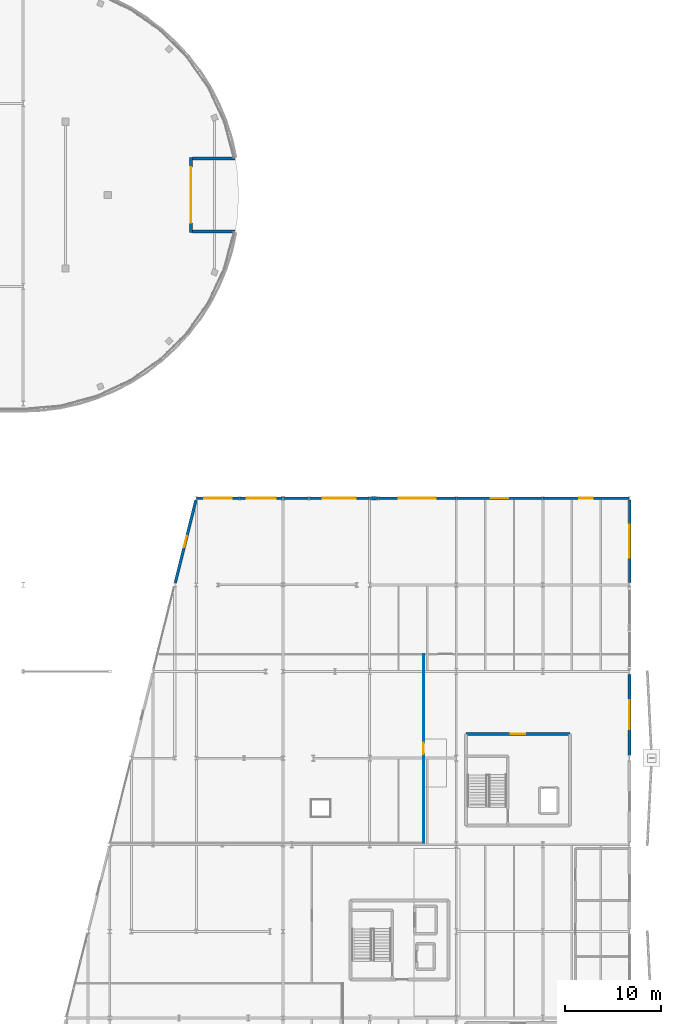
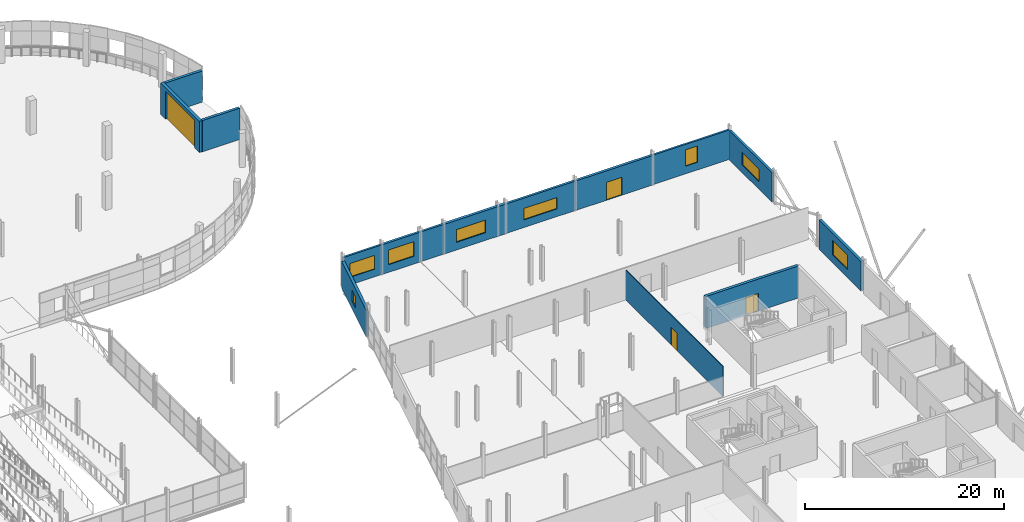
# One storey, part 125 of 140: 16 walls, 8 windows, 4 doors, 12 openings.
"""IFC4 building model written with IfcOpenShell, lengths in metres."""

from ifc_helpers import new_model, si_unit, direction, frame, frame_2d, origin, place, context, subcontext, project, spatial, rectangle, extrude, material, layer, layer_set, type_object, element, fill, save


model = new_model("IFC4")

# Units and contexts
model_context = context("Model", 3, precision=1e-05, world=origin(), true_north=direction((0.0, 1.0)))
body_context = subcontext(model_context, "Body", "Model", "MODEL_VIEW")
ifc_project = project(units=[si_unit("LENGTHUNIT", "METRE"), si_unit("AREAUNIT", "SQUARE_METRE"), si_unit("VOLUMEUNIT", "CUBIC_METRE"), si_unit("PLANEANGLEUNIT", "RADIAN"), si_unit("MASSUNIT", "GRAM", prefix="KILO")], contexts=[model_context])

# Site, building, storey
site_placement = place(None, origin())
site = spatial("IfcSite", under=ifc_project, at=site_placement, CompositionType="ELEMENT")
building_placement = place(site_placement, origin())
building = spatial("IfcBuilding", under=site, at=building_placement, Name="Deido Ridge Mobility Hub", CompositionType="ELEMENT")
storey_placement = place(building_placement, origin())
storey = spatial("IfcBuildingStorey", under=building, at=storey_placement, Name="L00", CompositionType="ELEMENT", Elevation=0.0)

# Wall, opening, window
ifc_material_1 = material(Name="Powder-coated aluminium cladding EN AW-3003", Category="aluminium")
ifc_layer_1 = layer(ifc_material_1, 0.22509765625, Name="Powder-coated aluminium cladding EN AW-3003")
ifc_layer_set_1 = layer_set([ifc_layer_1], Name="Powder-coated aluminium cladding EN AW-3003")
wall_type_1 = type_object("IfcWallType", Name="WL-EXT-ALU-225", PredefinedType="STANDARD", material=ifc_layer_set_1)
wall_1_placement = place(storey_placement, frame((135.006103515625, 72.0, 0.0), z_axis=(0.0, 0.0, 1.0), x_axis=(1.0, 0.0, 0.0)))
wall_1 = element("IfcWall", 1, at=wall_1_placement, inside=storey, type_object=wall_type_1, Name="Exterior wall EW6", PredefinedType="STANDARD", context=body_context, shape_type="SweptSolid", body=[
    extrude(rectangle(XDim=4.48779296875, YDim=0.22509765625, at=frame_2d((2.243896484375, 0.0))), origin(), (0.0, 0.0, 1.0), 3.655029296875),
])
opening_1_placement = place(wall_1_placement, frame((0.81884765625, 0.0, 0.949951171875)))
opening_1 = element("IfcOpeningElement", 2, at=opening_1_placement, cuts=wall_1, Name="Opening W14", PredefinedType="OPENING", context=body_context, shape_type="SweptSolid", body=[
    extrude(rectangle(XDim=2.85009765625, YDim=1.699951171875, at=frame_2d((1.425048828125, 0.85009765625))), frame((0.0, 0.12255859375, 0.0), z_axis=(0.0, -1.0, 0.0), x_axis=(1.0, 0.0, 0.0)), (0.0, 0.0, 1.0), 0.2451171875),
])
ifc_material_2 = material(Name="Laminated solar-control low-E glass", Category="glass")
window_type_1 = type_object("IfcWindowType", Name="WN-ALU-2850X1700", PartitioningType="DOUBLE_PANEL_VERTICAL", PredefinedType="WINDOW", material=ifc_material_2)
window_1_placement = place(opening_1_placement, origin())
window_1 = element("IfcWindow", 3, at=window_1_placement, inside=storey, type_object=window_type_1, Name="Exterior window W14", OverallHeight=1.699951171875, OverallWidth=2.85009765625, PartitioningType="SINGLE_PANEL", PredefinedType="WINDOW", context=body_context, shape_type="SweptSolid", body=[
    extrude(rectangle(XDim=2.85009765625, YDim=1.699951171875, at=frame_2d((1.425048828125, 0.85009765625))), frame((0.0, 0.030029296875, 0.0), z_axis=(0.0, -1.0, 0.0), x_axis=(1.0, 0.0, 0.0)), (0.0, 0.0, 1.0), 0.06005859375),
])
fill(opening_1, window_1)

wall_2_placement = place(storey_placement, frame((171.006103515625, 72.0, 0.0), z_axis=(0.0, 0.0, 1.0), x_axis=(1.0, 0.0, 0.0)))
wall_2 = element("IfcWall", 4, at=wall_2_placement, inside=storey, type_object=wall_type_1, Name="Exterior wall EW6", PredefinedType="STANDARD", context=body_context, shape_type="SweptSolid", body=[
    extrude(rectangle(XDim=8.98779296875, YDim=0.22509765625, at=frame_2d((4.493896484375, 0.0))), origin(), (0.0, 0.0, 1.0), 3.625),
])
opening_2_placement = place(wall_2_placement, frame((3.793701171875, 0.0, 0.949951171875)))
opening_2 = element("IfcOpeningElement", 5, at=opening_2_placement, cuts=wall_2, Name="Opening W21", PredefinedType="OPENING", context=body_context, shape_type="SweptSolid", body=[
    extrude(rectangle(XDim=1.39990234375, YDim=2.0, at=frame_2d((0.699951171875, 1.0))), frame((0.0, 0.12255859375, 0.0), z_axis=(0.0, -1.0, 0.0), x_axis=(1.0, 0.0, 0.0)), (0.0, 0.0, 1.0), 0.2451171875),
])
window_type_2 = type_object("IfcWindowType", Name="WN-ALU-1400X2000", PartitioningType="SINGLE_PANEL", PredefinedType="WINDOW", material=ifc_material_2)
window_2_placement = place(opening_2_placement, origin())
window_2 = element("IfcWindow", 6, at=window_2_placement, inside=storey, type_object=window_type_2, Name="Exterior window W21", OverallHeight=2.0, OverallWidth=1.39990234375, PartitioningType="SINGLE_PANEL", PredefinedType="WINDOW", context=body_context, shape_type="SweptSolid", body=[
    extrude(rectangle(XDim=1.39990234375, YDim=2.0, at=frame_2d((0.699951171875, 1.0))), frame((0.0, 0.030029296875, 0.0), z_axis=(0.0, -1.0, 0.0), x_axis=(1.0, 0.0, 0.0)), (0.0, 0.0, 1.0), 0.06005859375),
])
fill(opening_2, window_2)

ifc_material_3 = material(Name="Concrete blockwork masonry", Category="masonry")
ifc_layer_2 = layer(ifc_material_3, 0.264892578125, Name="Concrete blockwork masonry")
ifc_layer_set_2 = layer_set([ifc_layer_2], Name="Concrete blockwork masonry")
wall_type_2 = type_object("IfcWallType", Name="WL-EXT-BLK-265", PredefinedType="STANDARD", material=ifc_layer_set_2)
wall_3_placement = place(storey_placement, frame((180.0, 63.22509765625, 0.0), z_axis=(0.0, 0.0, 1.0), x_axis=(0.0, 1.0, 0.0)))
wall_3 = element("IfcWall", 7, at=wall_3_placement, inside=storey, type_object=wall_type_2, Name="Exterior wall EW3", PredefinedType="STANDARD", context=body_context, shape_type="SweptSolid", body=[
    extrude(rectangle(XDim=8.594970703125, YDim=0.264892578125, at=frame_2d((4.29736328125, 0.0))), origin(), (0.0, 0.0, 1.0), 3.625),
])
opening_3_placement = place(wall_3_placement, frame((2.597412109375, 0.0, 0.949951171875)))
opening_3 = element("IfcOpeningElement", 8, at=opening_3_placement, cuts=wall_3, Name="Opening W17", PredefinedType="OPENING", context=body_context, shape_type="SweptSolid", body=[
    extrude(rectangle(XDim=3.39990234375, YDim=1.550048828125, at=frame_2d((1.699951171875, 0.77490234375))), frame((0.0, 0.142578125, 0.0), z_axis=(0.0, -1.0, 0.0), x_axis=(1.0, 0.0, 0.0)), (0.0, 0.0, 1.0), 0.284912109375),
])
window_type_3 = type_object("IfcWindowType", Name="WN-ALU-3400X1550", PartitioningType="DOUBLE_PANEL_VERTICAL", PredefinedType="WINDOW", material=ifc_material_2)
window_3_placement = place(opening_3_placement, origin())
window_3 = element("IfcWindow", 9, at=window_3_placement, inside=storey, type_object=window_type_3, Name="Exterior window W17", OverallHeight=1.550048828125, OverallWidth=3.39990234375, PartitioningType="SINGLE_PANEL", PredefinedType="WINDOW", context=body_context, shape_type="SweptSolid", body=[
    extrude(rectangle(XDim=3.39990234375, YDim=1.550048828125, at=frame_2d((1.699951171875, 0.77490234375))), frame((0.0, 0.030029296875, 0.0), z_axis=(0.0, -1.0, 0.0), x_axis=(1.0, 0.0, 0.0)), (0.0, 0.0, 1.0), 0.06005859375),
])
fill(opening_3, window_3)

wall_4_placement = place(storey_placement, frame((153.90625, 72.0, 0.0), z_axis=(0.0, 0.0, 1.0), x_axis=(1.0, 0.0, 0.0)))
wall_4 = element("IfcWall", 10, at=wall_4_placement, inside=storey, type_object=wall_type_2, Name="Exterior wall EW3", PredefinedType="STANDARD", context=body_context, shape_type="SweptSolid", body=[
    extrude(rectangle(XDim=8.087646484375, YDim=0.264892578125, at=frame_2d((4.0439453125, 0.0))), origin(), (0.0, 0.0, 1.0), 3.625),
])
opening_4_placement = place(wall_4_placement, frame((2.143798828125, 0.0, 0.949951171875)))
opening_4 = element("IfcOpeningElement", 11, at=opening_4_placement, cuts=wall_4, Name="Opening W19", PredefinedType="OPENING", context=body_context, shape_type="SweptSolid", body=[
    extrude(rectangle(XDim=3.800048828125, YDim=1.39990234375, at=frame_2d((1.89990234375, 0.699951171875))), frame((0.0, 0.142578125, 0.0), z_axis=(0.0, -1.0, 0.0), x_axis=(1.0, 0.0, 0.0)), (0.0, 0.0, 1.0), 0.284912109375),
])
window_type_4 = type_object("IfcWindowType", Name="WN-ALU-3800X1400", PartitioningType="DOUBLE_PANEL_VERTICAL", PredefinedType="WINDOW", material=ifc_material_2)
window_4_placement = place(opening_4_placement, origin())
window_4 = element("IfcWindow", 12, at=window_4_placement, inside=storey, type_object=window_type_4, Name="Exterior window W19", OverallHeight=1.39990234375, OverallWidth=3.800048828125, PartitioningType="SINGLE_PANEL", PredefinedType="WINDOW", context=body_context, shape_type="SweptSolid", body=[
    extrude(rectangle(XDim=3.800048828125, YDim=1.39990234375, at=frame_2d((1.89990234375, 0.699951171875))), frame((0.0, 0.030029296875, 0.0), z_axis=(0.0, -1.0, 0.0), x_axis=(1.0, 0.0, 0.0)), (0.0, 0.0, 1.0), 0.06005859375),
])
fill(opening_4, window_4)

# Wall, opening, door
ifc_material_4 = material(Name="Fired clay brick masonry", Category="masonry")
ifc_layer_3 = layer(ifc_material_4, 0.294921875, Name="Fired clay brick masonry")
ifc_layer_set_3 = layer_set([ifc_layer_3], Name="Fired clay brick masonry")
wall_type_3 = type_object("IfcWallType", Name="WL-EXT-BRK-295", PredefinedType="STANDARD", material=ifc_layer_set_3)
wall_5_placement = place(storey_placement, frame((162.006103515625, 72.0, 0.0), z_axis=(0.0, 0.0, 1.0), x_axis=(1.0, 0.0, 0.0)))
wall_5 = element("IfcWall", 13, at=wall_5_placement, inside=storey, type_object=wall_type_3, Name="Exterior wall EW2", PredefinedType="STANDARD", context=body_context, shape_type="SweptSolid", body=[
    extrude(rectangle(XDim=8.98779296875, YDim=0.294921875, at=frame_2d((4.493896484375, 0.0))), origin(), (0.0, 0.0, 1.0), 3.625),
])
opening_5_placement = place(wall_5_placement, frame((3.59375, 0.0, 0.0)))
opening_5 = element("IfcOpeningElement", 14, at=opening_5_placement, cuts=wall_5, Name="Opening E10", PredefinedType="OPENING", context=body_context, shape_type="SweptSolid", body=[
    extrude(rectangle(XDim=1.800048828125, YDim=2.199951171875, at=frame_2d((0.89990234375, 1.10009765625))), frame((0.0, 0.157470703125, 0.0), z_axis=(0.0, -1.0, 0.0), x_axis=(1.0, 0.0, 0.0)), (0.0, 0.0, 1.0), 0.31494140625),
])
ifc_material_5 = material(Name="Anodised aluminium EN AW-6063 T6", Category="aluminium")
door_type_1 = type_object("IfcDoorType", Name="DR-EXT-1800X2200", OperationType="DOUBLE_DOOR_SINGLE_SWING", PredefinedType="DOOR", material=ifc_material_5)
door_1_placement = place(opening_5_placement, origin())
door_1 = element("IfcDoor", 15, at=door_1_placement, inside=storey, type_object=door_type_1, Name="DR-E0019 Final exit door E10", OperationType="DOUBLE_DOOR_SINGLE_SWING", OverallHeight=2.199951171875, OverallWidth=1.800048828125, PredefinedType="DOOR", context=body_context, shape_type="SweptSolid", body=[
    extrude(rectangle(XDim=1.800048828125, YDim=2.199951171875, at=frame_2d((0.89990234375, 1.10009765625))), frame((0.0, 0.02490234375, 0.0), z_axis=(0.0, -1.0, 0.0), x_axis=(1.0, 0.0, 0.0)), (0.0, 0.0, 1.0), 0.050048828125),
])
fill(opening_5, door_1)

# Wall, opening, window
wall_6_placement = place(storey_placement, frame((132.80126953125, 63.20458984375, 0.0), z_axis=(0.0, 0.0, 1.0), x_axis=(0.242509676291, 0.970148986963, 0.0)))
wall_6 = element("IfcWall", 16, at=wall_6_placement, inside=storey, type_object=wall_type_3, Name="Exterior wall EW2", PredefinedType="STANDARD", context=body_context, shape_type="SweptSolid", body=[
    extrude(rectangle(XDim=8.855224609375, YDim=0.294921875, at=frame_2d((4.427734375, 0.0))), origin(), (0.0, 0.0, 1.0), 3.324951171875),
])
opening_6_placement = place(wall_6_placement, frame((3.827392578125, 0.0, 0.949951171875)))
opening_6 = element("IfcOpeningElement", 17, at=opening_6_placement, cuts=wall_6, Name="Opening W3", PredefinedType="OPENING", context=body_context, shape_type="SweptSolid", body=[
    extrude(rectangle(XDim=1.199951171875, YDim=1.35009765625, at=frame_2d((0.60009765625, 0.675048828125))), frame((0.0, 0.157470703125, 0.0), z_axis=(0.0, -1.0, 0.0), x_axis=(1.0, 0.0, 0.0)), (0.0, 0.0, 1.0), 0.31494140625),
])
window_type_5 = type_object("IfcWindowType", Name="WN-ALU-1200X1350", PartitioningType="SINGLE_PANEL", PredefinedType="WINDOW", material=ifc_material_2)
window_5_placement = place(opening_6_placement, origin())
window_5 = element("IfcWindow", 18, at=window_5_placement, inside=storey, type_object=window_type_5, Name="Exterior window W3", OverallHeight=1.35009765625, OverallWidth=1.199951171875, PartitioningType="SINGLE_PANEL", PredefinedType="WINDOW", context=body_context, shape_type="SweptSolid", body=[
    extrude(rectangle(XDim=1.199951171875, YDim=1.35009765625, at=frame_2d((0.60009765625, 0.675048828125))), frame((0.0, 0.030029296875, 0.0), z_axis=(0.0, -1.0, 0.0), x_axis=(1.0, 0.0, 0.0)), (0.0, 0.0, 1.0), 0.06005859375),
])
fill(opening_6, window_5)

# Walls
ifc_layer_4 = layer(ifc_material_4, 0.31005859375, Name="Fired clay brick masonry")
ifc_layer_set_4 = layer_set([ifc_layer_4], Name="Fired clay brick masonry")
wall_type_4 = type_object("IfcWallType", Name="WL-EXT-BRK-310", PredefinedType="STANDARD", material=ifc_layer_set_4)
for number, where, z_axis, x_axis, name in (
    (19, (134.6201171875, 99.719970703125, 0.0), (0.0, 0.0, 1.0), (1.0, 0.0, 0.0), "East portal vestibule cheek wall"),
    (20, (134.6201171875, 107.280029296875, 0.0), (0.0, 0.0, 1.0), (1.0, 0.0, 0.0), "East portal vestibule cheek wall"),
):
    element("IfcWall", number, at=place(storey_placement, frame(where, z_axis=z_axis, x_axis=x_axis)), inside=storey, type_object=wall_type_4, Name=name, PredefinedType="STANDARD", context=body_context, shape_type="SweptSolid", body=[
        extrude(rectangle(XDim=4.3798828125, YDim=0.31005859375, at=frame_2d((2.18994140625, 0.0))), origin(), (0.0, 0.0, 1.0), 3.85009765625),
    ])

# Wall, opening, window
wall_7_placement = place(storey_placement, frame((180.0, 45.300048828125, 0.0), z_axis=(0.0, 0.0, 1.0), x_axis=(0.0, 1.0, 0.0)))
wall_7 = element("IfcWall", 21, at=wall_7_placement, inside=storey, type_object=wall_type_4, Name="Exterior wall EW1", PredefinedType="STANDARD", context=body_context, shape_type="SweptSolid", body=[
    extrude(rectangle(XDim=8.39990234375, YDim=0.31005859375, at=frame_2d((4.199951171875, 0.0))), origin(), (0.0, 0.0, 1.0), 3.625),
])
opening_7_placement = place(wall_7_placement, frame((2.699951171875, 0.0, 0.949951171875)))
opening_7 = element("IfcOpeningElement", 22, at=opening_7_placement, cuts=wall_7, Name="Opening W15", PredefinedType="OPENING", context=body_context, shape_type="SweptSolid", body=[
    extrude(rectangle(XDim=3.0, YDim=1.800048828125, at=frame_2d((1.5, 0.89990234375))), frame((0.0, 0.1650390625, 0.0), z_axis=(0.0, -1.0, 0.0), x_axis=(1.0, 0.0, 0.0)), (0.0, 0.0, 1.0), 0.330078125),
])
window_type_6 = type_object("IfcWindowType", Name="WN-ALU-3000X1800", PartitioningType="DOUBLE_PANEL_VERTICAL", PredefinedType="WINDOW", material=ifc_material_2)
window_6_placement = place(opening_7_placement, origin())
window_6 = element("IfcWindow", 23, at=window_6_placement, inside=storey, type_object=window_type_6, Name="Exterior window W15", OverallHeight=1.800048828125, OverallWidth=3.0, PartitioningType="SINGLE_PANEL", PredefinedType="WINDOW", context=body_context, shape_type="SweptSolid", body=[
    extrude(rectangle(XDim=3.0, YDim=1.800048828125, at=frame_2d((1.5, 0.89990234375))), frame((0.0, 0.030029296875, 0.0), z_axis=(0.0, -1.0, 0.0), x_axis=(1.0, 0.0, 0.0)), (0.0, 0.0, 1.0), 0.06005859375),
])
fill(opening_7, window_6)

wall_8_placement = place(storey_placement, frame((146.706298828125, 72.0, 0.0), z_axis=(0.0, 0.0, 1.0), x_axis=(1.0, 0.0, 0.0)))
wall_8 = element("IfcWall", 24, at=wall_8_placement, inside=storey, type_object=wall_type_4, Name="Exterior wall EW1", PredefinedType="STANDARD", context=body_context, shape_type="SweptSolid", body=[
    extrude(rectangle(XDim=6.28759765625, YDim=0.31005859375, at=frame_2d((3.143798828125, 0.0))), origin(), (0.0, 0.0, 1.0), 3.655029296875),
])
opening_8_placement = place(wall_8_placement, frame((1.44384765625, 0.0, 0.949951171875)))
opening_8 = element("IfcOpeningElement", 25, at=opening_8_placement, cuts=wall_8, Name="Opening W17", PredefinedType="OPENING", context=body_context, shape_type="SweptSolid", body=[
    extrude(rectangle(XDim=3.39990234375, YDim=1.550048828125, at=frame_2d((1.699951171875, 0.77490234375))), frame((0.0, 0.1650390625, 0.0), z_axis=(0.0, -1.0, 0.0), x_axis=(1.0, 0.0, 0.0)), (0.0, 0.0, 1.0), 0.330078125),
])
window_7_placement = place(opening_8_placement, origin())
window_7 = element("IfcWindow", 26, at=window_7_placement, inside=storey, type_object=window_type_3, Name="Exterior window W17", OverallHeight=1.550048828125, OverallWidth=3.39990234375, PartitioningType="SINGLE_PANEL", PredefinedType="WINDOW", context=body_context, shape_type="SweptSolid", body=[
    extrude(rectangle(XDim=3.39990234375, YDim=1.550048828125, at=frame_2d((1.699951171875, 0.77490234375))), frame((0.0, 0.030029296875, 0.0), z_axis=(0.0, -1.0, 0.0), x_axis=(1.0, 0.0, 0.0)), (0.0, 0.0, 1.0), 0.06005859375),
])
fill(opening_8, window_7)

# Wall, opening, door
ifc_material_6 = material(Name="Concrete C35/45", Category="concrete")
ifc_layer_5 = layer(ifc_material_6, 0.340087890625, Name="Concrete C35/45")
ifc_layer_set_5 = layer_set([ifc_layer_5], Name="Concrete C35/45")
wall_type_5 = type_object("IfcWallType", Name="WL-EXT-RC-340", PredefinedType="STANDARD", material=ifc_layer_set_5)
wall_9_placement = place(storey_placement, frame((134.449951171875, 99.60009765625, 0.0), z_axis=(0.0, 0.0, 1.0), x_axis=(0.0, 1.0, 0.0)))
wall_9 = element("IfcWall", 27, at=wall_9_placement, inside=storey, type_object=wall_type_5, Name="East arched portal throat wall", PredefinedType="STANDARD", context=body_context, shape_type="SweptSolid", body=[
    extrude(rectangle(XDim=7.7998046875, YDim=0.340087890625, at=frame_2d((3.89990234375, 0.0))), origin(), (0.0, 0.0, 1.0), 3.85009765625),
])
opening_9_placement = place(wall_9_placement, frame((1.0, 0.0, 0.0)))
opening_9 = element("IfcOpeningElement", 28, at=opening_9_placement, cuts=wall_9, Name="Opening VG2", PredefinedType="OPENING", context=body_context, shape_type="SweptSolid", body=[
    extrude(rectangle(XDim=5.800048828125, YDim=3.39990234375, at=frame_2d((2.89990234375, 1.699951171875))), frame((0.0, 0.18017578125, 0.0), z_axis=(0.0, -1.0, 0.0), x_axis=(1.0, 0.0, 0.0)), (0.0, 0.0, 1.0), 0.360107421875),
])
ifc_material_7 = material(Name="Galvanised steel work", Category="steel")
door_type_2 = type_object("IfcDoorType", Name="DR-VEH-5800X3400", OperationType="ROLLINGUP", PredefinedType="USERDEFINED", material=ifc_material_7)
door_2_placement = place(opening_9_placement, frame((5.800048828125, 0.0, 0.0), z_axis=(0.0, 0.0, 1.0), x_axis=(-1.0, 0.0, 0.0)))
door_2 = element("IfcDoor", 29, at=door_2_placement, inside=storey, type_object=door_type_2, Name="DR-E0012 East vehicle entrance roller shutter VG2", ObjectType="VEHICLE SHUTTER", OperationType="ROLLINGUP", OverallHeight=3.39990234375, OverallWidth=5.800048828125, PredefinedType="USERDEFINED", context=body_context, shape_type="SweptSolid", body=[
    extrude(rectangle(XDim=5.800048828125, YDim=3.39990234375, at=frame_2d((2.89990234375, 1.699951171875))), frame((0.0, 0.02490234375, 0.0), z_axis=(0.0, -1.0, 0.0), x_axis=(1.0, 0.0, 0.0)), (0.0, 0.0, 1.0), 0.050048828125),
])
fill(opening_9, door_2)

# Walls
wall_10_placement = place(storey_placement, frame((153.006103515625, 72.0, 0.0), z_axis=(0.0, 0.0, 1.0), x_axis=(1.0, 0.0, 0.0)))
element("IfcWall", 30, at=wall_10_placement, inside=storey, type_object=wall_type_5, Name="Exterior wall EW5", PredefinedType="STANDARD", context=body_context, shape_type="SweptSolid", body=[
    extrude(rectangle(XDim=0.8876953125, YDim=0.340087890625, at=frame_2d((0.44384765625, 0.0))), origin(), (0.0, 0.0, 1.0), 3.655029296875),
])
ifc_layer_6 = layer(ifc_material_3, 0.2548828125, Name="Concrete blockwork masonry")
ifc_layer_set_6 = layer_set([ifc_layer_6], Name="Concrete blockwork masonry")
wall_type_6 = type_object("IfcWallType", Name="WL-PLG-BLK-255", PredefinedType="POLYGONAL", material=ifc_layer_set_6)
wall_11_placement = place(storey_placement, frame((144.0087890625, 72.0, 0.0), z_axis=(0.0, 0.0, 1.0), x_axis=(1.0, 0.0, 0.0)))
element("IfcWall", 31, at=wall_11_placement, inside=storey, type_object=wall_type_6, Name="Exterior wall PGW2", PredefinedType="POLYGONAL", context=body_context, shape_type="SweptSolid", body=[
    extrude(rectangle(XDim=2.684814453125, YDim=0.2548828125, at=frame_2d((1.34228515625, 0.0))), origin(), (0.0, 0.0, 1.0), 3.655029296875),
])

# Wall, opening, window
ifc_layer_7 = layer(ifc_material_4, 0.27490234375, Name="Fired clay brick masonry")
ifc_layer_set_7 = layer_set([ifc_layer_7], Name="Fired clay brick masonry")
wall_type_7 = type_object("IfcWallType", Name="WL-PLG-BRK-275", PredefinedType="POLYGONAL", material=ifc_layer_set_7)
wall_12_placement = place(storey_placement, frame((139.506103515625, 72.0, 0.0), z_axis=(0.0, 0.0, 1.0), x_axis=(1.0, 0.0, 0.0)))
wall_12 = element("IfcWall", 32, at=wall_12_placement, inside=storey, type_object=wall_type_7, Name="Exterior wall PGW1", PredefinedType="POLYGONAL", context=body_context, shape_type="SweptSolid", body=[
    extrude(rectangle(XDim=4.485107421875, YDim=0.27490234375, at=frame_2d((2.24267578125, 0.0))), origin(), (0.0, 0.0, 1.0), 3.655029296875),
])
opening_10_placement = place(wall_12_placement, frame((0.742431640625, 0.0, 0.949951171875)))
opening_10 = element("IfcOpeningElement", 33, at=opening_10_placement, cuts=wall_12, Name="Opening W15", PredefinedType="OPENING", context=body_context, shape_type="SweptSolid", body=[
    extrude(rectangle(XDim=3.0, YDim=1.800048828125, at=frame_2d((1.5, 0.89990234375))), frame((0.0, 0.1474609375, 0.0), z_axis=(0.0, -1.0, 0.0), x_axis=(1.0, 0.0, 0.0)), (0.0, 0.0, 1.0), 0.294921875),
])
window_8_placement = place(opening_10_placement, origin())
window_8 = element("IfcWindow", 34, at=window_8_placement, inside=storey, type_object=window_type_6, Name="Exterior window W15", OverallHeight=1.800048828125, OverallWidth=3.0, PartitioningType="SINGLE_PANEL", PredefinedType="WINDOW", context=body_context, shape_type="SweptSolid", body=[
    extrude(rectangle(XDim=3.0, YDim=1.800048828125, at=frame_2d((1.5, 0.89990234375))), frame((0.0, 0.030029296875, 0.0), z_axis=(0.0, -1.0, 0.0), x_axis=(1.0, 0.0, 0.0)), (0.0, 0.0, 1.0), 0.06005859375),
])
fill(opening_10, window_8)

# Wall, opening, door
ifc_layer_8 = layer(ifc_material_3, 0.10009765625, Name="Concrete blockwork masonry")
ifc_layer_set_8 = layer_set([ifc_layer_8], Name="Concrete blockwork masonry")
wall_type_8 = type_object("IfcWallType", Name="WL-PRT-BLK-100", PredefinedType="PARTITIONING", material=ifc_layer_set_8)
wall_13_placement = place(storey_placement, frame((158.60009765625, 36.199951171875, 0.0), z_axis=(0.0, 0.0, 1.0), x_axis=(0.0, 1.0, 0.0)))
wall_13 = element("IfcWall", 35, at=wall_13_placement, inside=storey, type_object=wall_type_8, Name="V6 north-west room wall (L00)", PredefinedType="PARTITIONING", context=body_context, shape_type="SweptSolid", body=[
    extrude(rectangle(XDim=19.60009765625, YDim=0.10009765625, at=frame_2d((9.800048828125, 0.0))), origin(), (0.0, 0.0, 1.0), 3.655029296875),
])
opening_11_placement = place(wall_13_placement, frame((9.199951171875, 0.0, 0.0)))
opening_11 = element("IfcOpeningElement", 36, at=opening_11_placement, cuts=wall_13, Name="Opening DR-L00-147", PredefinedType="OPENING", context=body_context, shape_type="SweptSolid", body=[
    extrude(rectangle(XDim=1.219970703125, YDim=2.179931640625, at=frame_2d((0.60986328125, 1.08984375))), frame((0.0, 0.06005859375, 0.0), z_axis=(0.0, -1.0, 0.0), x_axis=(1.0, 0.0, 0.0)), (0.0, 0.0, 1.0), 0.1201171875),
])
ifc_material_8 = material(Name="Treated tropical hardwood timber D40", Category="wood")
door_type_3 = type_object("IfcDoorType", Name="DR-INT-1220X2180", OperationType="NOTDEFINED", PredefinedType="DOOR", material=ifc_material_8)
door_3_placement = place(opening_11_placement, origin())
door_3 = element("IfcDoor", 37, at=door_3_placement, inside=storey, type_object=door_type_3, Name="DR-I0147 V6 north-west room door (L00)", OperationType="SINGLE_SWING_RIGHT", OverallHeight=2.179931640625, OverallWidth=1.219970703125, PredefinedType="DOOR", context=body_context, shape_type="SweptSolid", body=[
    extrude(rectangle(XDim=1.219970703125, YDim=2.179931640625, at=frame_2d((0.60986328125, 1.08984375))), frame((0.0, 0.02490234375, 0.0), z_axis=(0.0, -1.0, 0.0), x_axis=(1.0, 0.0, 0.0)), (0.0, 0.0, 1.0), 0.050048828125),
])
fill(opening_11, door_3)

ifc_material_9 = material(Name="Concrete C40/50", Category="concrete")
ifc_layer_9 = layer(ifc_material_9, 0.324951171875, Name="Concrete C40/50")
ifc_layer_set_9 = layer_set([ifc_layer_9], Name="Concrete C40/50")
wall_type_9 = type_object("IfcWallType", Name="WL-SHR-RC-325", PredefinedType="SHEAR", material=ifc_layer_set_9)
wall_14_placement = place(storey_placement, frame((173.800048828125, 47.5, 0.0), z_axis=(0.0, 0.0, 1.0), x_axis=(-1.0, 0.0, 0.0)))
wall_14 = element("IfcWall", 38, at=wall_14_placement, inside=storey, type_object=wall_type_9, Name="C2 north shear wall", PredefinedType="SHEAR", context=body_context, shape_type="SweptSolid", body=[
    extrude(rectangle(XDim=10.800048828125, YDim=0.324951171875, at=frame_2d((5.39990234375, 0.0))), origin(), (0.0, 0.0, 1.0), 3.949951171875),
])
opening_12_placement = place(wall_14_placement, frame((4.64990234375, 0.0, 0.0)))
opening_12 = element("IfcOpeningElement", 39, at=opening_12_placement, cuts=wall_14, Name="Opening LD-C2-029", PredefinedType="OPENING", context=body_context, shape_type="SweptSolid", body=[
    extrude(rectangle(XDim=1.5, YDim=2.199951171875, at=frame_2d((0.75, 1.10009765625))), frame((0.0, 0.17236328125, 0.0), z_axis=(0.0, -1.0, 0.0), x_axis=(1.0, 0.0, 0.0)), (0.0, 0.0, 1.0), 0.344970703125),
])
door_type_4 = type_object("IfcDoorType", Name="DR-FD60-1500X2200", OperationType="DOUBLE_DOOR_SINGLE_SWING", PredefinedType="DOOR", material=ifc_material_7)
door_4_placement = place(opening_12_placement, origin())
door_4 = element("IfcDoor", 40, at=door_4_placement, inside=storey, type_object=door_type_4, Name="DR-I0029 C2 firefighting lobby door (L00)", OperationType="DOUBLE_DOOR_SINGLE_SWING", OverallHeight=2.199951171875, OverallWidth=1.5, PredefinedType="DOOR", context=body_context, shape_type="SweptSolid", body=[
    extrude(rectangle(XDim=1.5, YDim=2.199951171875, at=frame_2d((0.75, 1.10009765625))), frame((0.0, 0.02490234375, 0.0), z_axis=(0.0, -1.0, 0.0), x_axis=(1.0, 0.0, 0.0)), (0.0, 0.0, 1.0), 0.050048828125),
])
fill(opening_12, door_4)

save(model, "model.ifc")
